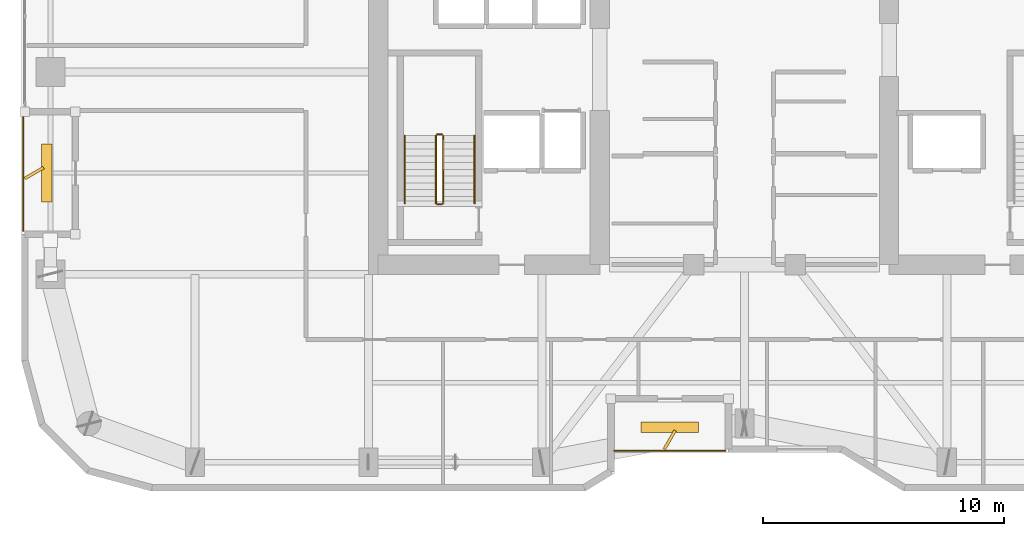
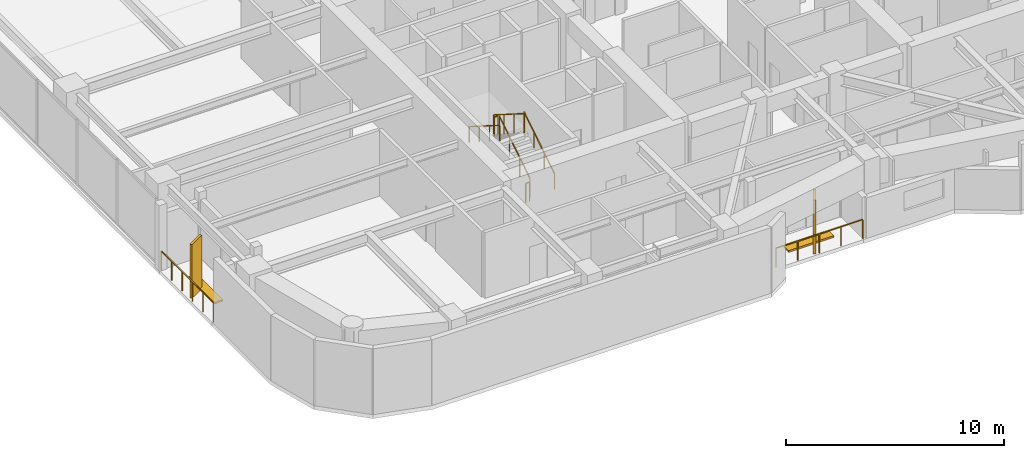
# One storey, part 28 of 30: 8 railings, 4 shading devices.
"""IFC4 building model written with IfcOpenShell, lengths in metres."""

from ifc_helpers import new_model, si_unit, direction, frame, origin, origin_2d, place, context, subcontext, project, spatial, rectangle, extrude, material, type_object, element, save


model = new_model("IFC4")

# Units and contexts
model_context = context("Model", 3, precision=1e-05, world=origin(), true_north=direction((0.0, 1.0)))
body_context = subcontext(model_context, "Body", "Model", "MODEL_VIEW")
ifc_project = project(units=[si_unit("LENGTHUNIT", "METRE"), si_unit("AREAUNIT", "SQUARE_METRE"), si_unit("VOLUMEUNIT", "CUBIC_METRE"), si_unit("PLANEANGLEUNIT", "RADIAN"), si_unit("MASSUNIT", "GRAM", prefix="KILO")], contexts=[model_context])

# Site, building, storey
site_placement = place(None, origin())
site = spatial("IfcSite", under=ifc_project, at=site_placement, CompositionType="ELEMENT")
building_placement = place(site_placement, origin())
building = spatial("IfcBuilding", under=site, at=building_placement, Name="Kiyonajd Concourse Tower", CompositionType="ELEMENT")
storey_placement = place(building_placement, frame((0.0, 0.0, 170.10009765625)))
storey = spatial("IfcBuildingStorey", under=building, at=storey_placement, Name="L43", CompositionType="ELEMENT", Elevation=170.10009765625)

# Railings
ifc_material_1 = material(Name="Thermally Broken Anodised Aluminium", Category="aluminium")
railing_type_1 = type_object("IfcRailingType", Name="RL-GRD-LOG", PredefinedType="GUARDRAIL", material=ifc_material_1)
railing_1_placement = place(storey_placement, frame((42.60009765625, 20.280029296875, 0.0)))
element("IfcRailing", 1, at=railing_1_placement, inside=storey, type_object=railing_type_1, Name="L43 Engawa Loggia Perimeter Guard LOG-S", PredefinedType="GUARDRAIL", context=body_context, shape_type="SweptSolid", body=[
    extrude(rectangle(XDim=0.048095703125, YDim=0.048095703125, at=origin_2d()), frame((0.0, 0.0, 1.076171875), z_axis=(1.0, 0.0, 0.0), x_axis=(0.0, 1.0, 0.0)), (0.0, 0.0, 1.0), 4.599853515625),
    extrude(rectangle(XDim=0.0419921875, YDim=0.0419921875, at=origin_2d()), origin(), (0.0, 0.0, 1.0), 1.052001953125),
    extrude(rectangle(XDim=0.0419921875, YDim=0.0419921875, at=origin_2d()), frame((1.14990234375, 0.0, 0.0)), (0.0, 0.0, 1.0), 1.052001953125),
    extrude(rectangle(XDim=0.0419921875, YDim=0.0419921875, at=origin_2d()), frame((2.2998046875, 0.0, 0.0)), (0.0, 0.0, 1.0), 1.052001953125),
    extrude(rectangle(XDim=0.0419921875, YDim=0.0419921875, at=origin_2d()), frame((3.449951171875, 0.0, 0.0)), (0.0, 0.0, 1.0), 1.052001953125),
    extrude(rectangle(XDim=0.0419921875, YDim=0.0419921875, at=origin_2d()), frame((4.599853515625, 0.0, 0.0)), (0.0, 0.0, 1.0), 1.052001953125),
])
railing_2_placement = place(storey_placement, frame((18.080078125, 34.199951171875, 0.0)))
element("IfcRailing", 2, at=railing_2_placement, inside=storey, type_object=railing_type_1, Name="L43 Engawa Loggia Perimeter Guard LOG-W", PredefinedType="GUARDRAIL", context=body_context, shape_type="SweptSolid", body=[
    extrude(rectangle(XDim=0.048095703125, YDim=0.048095703125, at=origin_2d()), frame((0.0, 0.0, 1.076171875), z_axis=(0.0, -1.0, 0.0), x_axis=(1.0, 0.0, 0.0)), (0.0, 0.0, 1.0), 4.800048828125),
    extrude(rectangle(XDim=0.0419921875, YDim=0.0419921875, at=origin_2d()), origin(), (0.0, 0.0, 1.0), 1.052001953125),
    extrude(rectangle(XDim=0.0419921875, YDim=0.0419921875, at=origin_2d()), frame((0.0, -0.9599609375, 0.0)), (0.0, 0.0, 1.0), 1.052001953125),
    extrude(rectangle(XDim=0.0419921875, YDim=0.0419921875, at=origin_2d()), frame((0.0, -1.919921875, 0.0)), (0.0, 0.0, 1.0), 1.052001953125),
    extrude(rectangle(XDim=0.0419921875, YDim=0.0419921875, at=origin_2d()), frame((0.0, -2.880126953125, 0.0)), (0.0, 0.0, 1.0), 1.052001953125),
    extrude(rectangle(XDim=0.0419921875, YDim=0.0419921875, at=origin_2d()), frame((0.0, -3.840087890625, 0.0)), (0.0, 0.0, 1.0), 1.052001953125),
    extrude(rectangle(XDim=0.0419921875, YDim=0.0419921875, at=origin_2d()), frame((0.0, -4.800048828125, 0.0)), (0.0, 0.0, 1.0), 1.052001953125),
])
ifc_material_2 = material(Name="Steel ASTM A500 Grade C", Category="steel")
railing_type_2 = type_object("IfcRailingType", Name="RL-GRD-STR", PredefinedType="GUARDRAIL", material=ifc_material_2)
railing_3_placement = place(storey_placement, frame((35.5, 30.550048828125, 0.17724609375)))
element("IfcRailing", 3, at=railing_3_placement, inside=storey, type_object=railing_type_2, Name="L43 ST1 stair guard 1", PredefinedType="GUARDRAIL", context=body_context, shape_type="SweptSolid", body=[
    extrude(rectangle(XDim=0.048095703125, YDim=0.048095703125, at=origin_2d()), frame((0.0, 0.0, 1.076171875), z_axis=(0.0, 0.844908973607, 0.534910110503), x_axis=(-1.0, 0.0, 0.0)), (0.0, 0.0, 1.0), 3.31396484375),
    extrude(rectangle(XDim=0.0419921875, YDim=0.0419921875, at=origin_2d()), origin(), (0.0, 0.0, 1.0), 1.052001953125),
    extrude(rectangle(XDim=0.0419921875, YDim=0.0419921875, at=origin_2d()), frame((0.0, 0.933349609375, 0.5908203125)), (0.0, 0.0, 1.0), 1.052001953125),
    extrude(rectangle(XDim=0.0419921875, YDim=0.0419921875, at=origin_2d()), frame((0.0, 1.86669921875, 1.181884765625)), (0.0, 0.0, 1.0), 1.052001953125),
    extrude(rectangle(XDim=0.0419921875, YDim=0.0419921875, at=origin_2d()), frame((0.0, 2.800048828125, 1.772705078125)), (0.0, 0.0, 1.0), 1.052001953125),
])
railing_4_placement = place(storey_placement, frame((35.449951171875, 33.39990234375, 1.949951171875)))
element("IfcRailing", 4, at=railing_4_placement, inside=storey, type_object=railing_type_2, Name="L43 ST1 stair guard 2", PredefinedType="GUARDRAIL", context=body_context, shape_type="SweptSolid", body=[
    extrude(rectangle(XDim=0.048095703125, YDim=0.048095703125, at=origin_2d()), frame((0.0, 0.0, 1.076171875), z_axis=(-1.0, 0.0, 0.0), x_axis=(0.0, -1.0, 0.0)), (0.0, 0.0, 1.0), 0.199951171875),
    extrude(rectangle(XDim=0.0419921875, YDim=0.0419921875, at=origin_2d()), origin(), (0.0, 0.0, 1.0), 1.052001953125),
    extrude(rectangle(XDim=0.0419921875, YDim=0.0419921875, at=origin_2d()), frame((-0.199951171875, 0.0, 0.0)), (0.0, 0.0, 1.0), 1.052001953125),
])
railing_5_placement = place(storey_placement, frame((35.199951171875, 33.35009765625, 2.127197265625)))
element("IfcRailing", 5, at=railing_5_placement, inside=storey, type_object=railing_type_2, Name="L43 ST1 stair guard 3", PredefinedType="GUARDRAIL", context=body_context, shape_type="SweptSolid", body=[
    extrude(rectangle(XDim=0.048095703125, YDim=0.048095703125, at=origin_2d()), frame((0.0, 0.0, 1.076171875), z_axis=(0.0, -0.844908973607, 0.534910110503), x_axis=(1.0, 0.0, 0.0)), (0.0, 0.0, 1.0), 3.31396484375),
    extrude(rectangle(XDim=0.0419921875, YDim=0.0419921875, at=origin_2d()), origin(), (0.0, 0.0, 1.0), 1.052001953125),
    extrude(rectangle(XDim=0.0419921875, YDim=0.0419921875, at=origin_2d()), frame((0.0, -0.933349609375, 0.5908203125)), (0.0, 0.0, 1.0), 1.052001953125),
    extrude(rectangle(XDim=0.0419921875, YDim=0.0419921875, at=origin_2d()), frame((0.0, -1.86669921875, 1.181884765625)), (0.0, 0.0, 1.0), 1.052001953125),
    extrude(rectangle(XDim=0.0419921875, YDim=0.0419921875, at=origin_2d()), frame((0.0, -2.800048828125, 1.772705078125)), (0.0, 0.0, 1.0), 1.052001953125),
])
railing_6_placement = place(storey_placement, frame((35.449951171875, 30.5, 0.0)))
element("IfcRailing", 6, at=railing_6_placement, inside=storey, type_object=railing_type_2, Name="L43 ST1 stair guard 4", PredefinedType="GUARDRAIL", context=body_context, shape_type="SweptSolid", body=[
    extrude(rectangle(XDim=0.048095703125, YDim=0.048095703125, at=origin_2d()), frame((0.0, 0.0, 1.076171875), z_axis=(-1.0, 0.0, 0.0), x_axis=(0.0, -1.0, 0.0)), (0.0, 0.0, 1.0), 0.199951171875),
    extrude(rectangle(XDim=0.0419921875, YDim=0.0419921875, at=origin_2d()), origin(), (0.0, 0.0, 1.0), 1.052001953125),
    extrude(rectangle(XDim=0.0419921875, YDim=0.0419921875, at=origin_2d()), frame((-0.199951171875, 0.0, 0.0)), (0.0, 0.0, 1.0), 1.052001953125),
])
ifc_material_3 = material(Name="Brushed Stainless Steel Cab Assembly", Category="steel")
railing_type_3 = type_object("IfcRailingType", Name="RL-HND-900", PredefinedType="HANDRAIL", material=ifc_material_3)
railing_7_placement = place(storey_placement, frame((36.800048828125, 30.550048828125, 0.17724609375)))
element("IfcRailing", 7, at=railing_7_placement, inside=storey, type_object=railing_type_3, Name="L43 ST1 stair handrail 1", PredefinedType="HANDRAIL", context=body_context, shape_type="SweptSolid", body=[
    extrude(rectangle(XDim=0.048095703125, YDim=0.048095703125, at=origin_2d()), frame((0.0, 0.0, 0.8759765625), z_axis=(0.0, 0.844908973607, 0.534910110503), x_axis=(-1.0, 0.0, 0.0)), (0.0, 0.0, 1.0), 3.31396484375),
    extrude(rectangle(XDim=0.0419921875, YDim=0.0419921875, at=origin_2d()), origin(), (0.0, 0.0, 1.0), 0.851806640625),
    extrude(rectangle(XDim=0.0419921875, YDim=0.0419921875, at=origin_2d()), frame((0.0, 0.933349609375, 0.5908203125)), (0.0, 0.0, 1.0), 0.851806640625),
    extrude(rectangle(XDim=0.0419921875, YDim=0.0419921875, at=origin_2d()), frame((0.0, 1.86669921875, 1.181884765625)), (0.0, 0.0, 1.0), 0.851806640625),
    extrude(rectangle(XDim=0.0419921875, YDim=0.0419921875, at=origin_2d()), frame((0.0, 2.800048828125, 1.772705078125)), (0.0, 0.0, 1.0), 0.851806640625),
])
railing_8_placement = place(storey_placement, frame((33.89990234375, 33.35009765625, 2.127197265625)))
element("IfcRailing", 8, at=railing_8_placement, inside=storey, type_object=railing_type_3, Name="L43 ST1 stair handrail 2", PredefinedType="HANDRAIL", context=body_context, shape_type="SweptSolid", body=[
    extrude(rectangle(XDim=0.048095703125, YDim=0.048095703125, at=origin_2d()), frame((0.0, 0.0, 0.8759765625), z_axis=(0.0, -0.844908973607, 0.534910110503), x_axis=(1.0, 0.0, 0.0)), (0.0, 0.0, 1.0), 3.31396484375),
    extrude(rectangle(XDim=0.0419921875, YDim=0.0419921875, at=origin_2d()), origin(), (0.0, 0.0, 1.0), 0.851806640625),
    extrude(rectangle(XDim=0.0419921875, YDim=0.0419921875, at=origin_2d()), frame((0.0, -0.933349609375, 0.5908203125)), (0.0, 0.0, 1.0), 0.851806640625),
    extrude(rectangle(XDim=0.0419921875, YDim=0.0419921875, at=origin_2d()), frame((0.0, -1.86669921875, 1.181884765625)), (0.0, 0.0, 1.0), 0.851806640625),
    extrude(rectangle(XDim=0.0419921875, YDim=0.0419921875, at=origin_2d()), frame((0.0, -2.800048828125, 1.772705078125)), (0.0, 0.0, 1.0), 0.851806640625),
])

# Shading devices
ifc_material_4 = material(Name="Precast concrete C50/60", Category="concrete")
shading_device_type_1 = type_object("IfcShadingDeviceType", Name="SH-FIN-900", PredefinedType="USERDEFINED", material=ifc_material_4)
for number, where, z_axis, x_axis, name in (
    (9, (44.89990234375, 20.72998046875, 0.0), (0.0, 0.0, 1.0), (0.5, 0.866025403784, 0.0), "L43 Angled Koshi Solar Fin LOG-S"),
    (10, (18.530029296875, 31.800048828125, 0.0), (0.0, 0.0, 1.0), (0.866025403784, 0.5, 0.0), "L43 Angled Koshi Solar Fin LOG-W"),
):
    element("IfcShadingDevice", number, at=place(storey_placement, frame(where, z_axis=z_axis, x_axis=x_axis)), inside=storey, type_object=shading_device_type_1, Name=name, ObjectType="FIN", PredefinedType="USERDEFINED", context=body_context, shape_type="SweptSolid", body=[
        extrude(rectangle(XDim=0.89990234375, YDim=0.1201171875, at=origin_2d()), origin(), (0.0, 0.0, 1.0), 3.0),
    ])
shading_device_type_2 = type_object("IfcShadingDeviceType", Name="SH-LVR-600", PredefinedType="JALOUSIE", material=ifc_material_1)
for number, where, z_axis, x_axis, name in (
    (11, (44.89990234375, 21.25, -0.000244140625), (0.0, 0.0, 1.0), (1.0, 0.0, 0.0), "L43 Loggia Threshold Louver LOG-S"),
    (12, (19.050048828125, 31.800048828125, -0.000244140625), (0.0, 0.0, 1.0), (0.0, 1.0, 0.0), "L43 Loggia Threshold Louver LOG-W"),
):
    element("IfcShadingDevice", number, at=place(storey_placement, frame(where, z_axis=z_axis, x_axis=x_axis)), inside=storey, type_object=shading_device_type_2, Name=name, PredefinedType="JALOUSIE", context=body_context, shape_type="SweptSolid", body=[
        extrude(rectangle(XDim=2.39990234375, YDim=0.449951171875, at=origin_2d()), origin(), (0.0, 0.0, 1.0), 0.10009765625),
    ])

save(model, "model.ifc")
